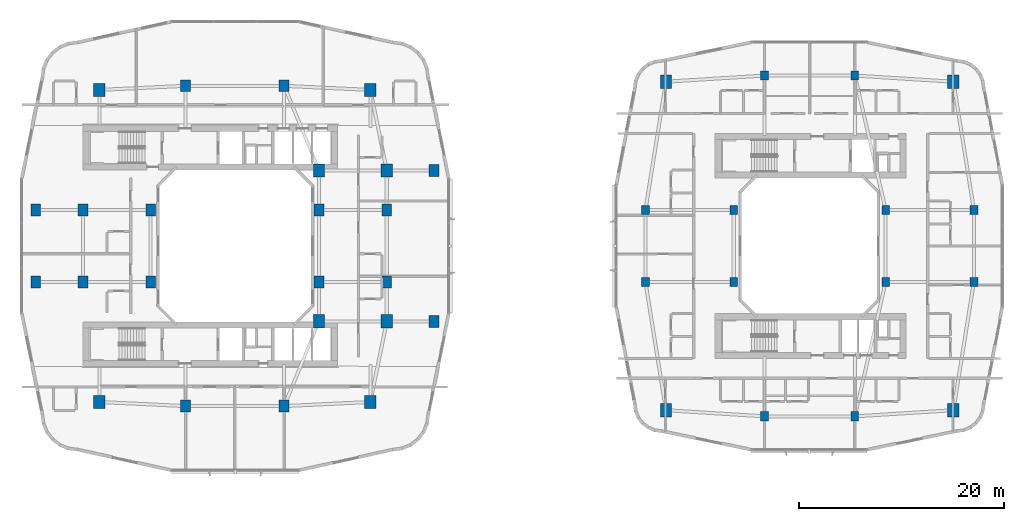
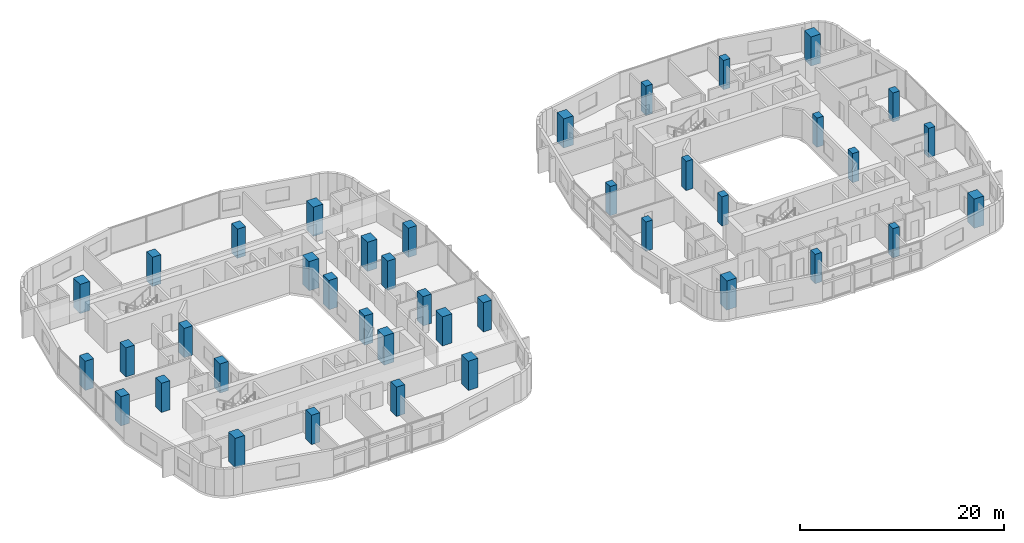
# One storey, part 1 of 26: 40 columns.
"""IFC4 building model written with IfcOpenShell, lengths in metres."""

import ifcopenshell
import ifcopenshell.guid

model = None  # the IFC model being written
_history = None  # IfcOwnerHistory: only IFC2X3 demands one
_inside = {}  # id of a spatial element -> (the spatial element, [elements in it])
_under = {}  # id of a project, library or spatial element -> (it, [spatial elements below it])
_declared = {}  # id of a project -> (the project, [libraries it declares])
_typed = {}  # id of a type object -> (the type object, [elements of that type])
_made_of = {}  # id of a material, layer set ... -> (it, [elements and type objects made of it])


def new_model(schema):
    """Start an empty IFC model of exactly this schema.

    Asked for "IFC4X3", IfcOpenShell would pick the latest addendum, in which some entities
    have other attributes; the version numbers below select the first issue.
    IFC2X3 requires an IfcOwnerHistory on every rooted entity: one is made here for all.
    """
    global model, _history
    if schema == "IFC4X3":
        model = ifcopenshell.file(schema_version=(4, 3, 0, 0))
    else:
        model = ifcopenshell.file(schema=schema)
    _inside.clear()
    _under.clear()
    _declared.clear()
    _typed.clear()
    _made_of.clear()
    _history = None
    if model.schema == "IFC2X3":
        org = make("IfcOrganization", Name="unknown")
        user = make(
            "IfcPersonAndOrganization",
            ThePerson=make("IfcPerson", FamilyName="unknown"),
            TheOrganization=org,
        )
        app = make(
            "IfcApplication",
            ApplicationDeveloper=org,
            Version="unknown",
            ApplicationFullName="unknown",
            ApplicationIdentifier="unknown",
        )
        _history = make(
            "IfcOwnerHistory",
            OwningUser=user,
            OwningApplication=app,
            ChangeAction="ADDED",
            CreationDate=0,
        )
    return model


def make(cls, **values):
    """One entity of the class cls with the attributes given. An attribute that is None is left unset."""
    return model.create_entity(
        cls, **{name: value for name, value in values.items() if value is not None}
    )


def rooted(cls, **values):
    """An entity with a GlobalId (a new one), such as an element, a storey or a relation."""
    return make(cls, GlobalId=ifcopenshell.guid.new(), OwnerHistory=_history, **values)


def si_unit(unit_type, name, prefix=None):
    """IfcSIUnit, for example si_unit("LENGTHUNIT", "METRE", prefix="MILLI")."""
    return make("IfcSIUnit", UnitType=unit_type, Prefix=prefix, Name=name)


def derived_unit(unit_type, elements):
    """IfcDerivedUnit: a product of units, each with its exponent."""
    return make(
        "IfcDerivedUnit",
        Elements=[
            make("IfcDerivedUnitElement", Unit=unit, Exponent=power)
            for unit, power in elements
        ],
        UnitType=unit_type,
    )


def assignment(units):
    """IfcUnitAssignment: the units of a project."""
    return None if units is None else make("IfcUnitAssignment", Units=units)


def point(xyz):
    """IfcCartesianPoint."""
    return None if xyz is None else make("IfcCartesianPoint", Coordinates=xyz)


def direction(xyz):
    """IfcDirection."""
    return None if xyz is None else make("IfcDirection", DirectionRatios=xyz)


def frame(location, z_axis=None, x_axis=None):
    """IfcAxis2Placement3D, a coordinate frame: its origin and axes. An axis left out is left unset."""
    return make(
        "IfcAxis2Placement3D",
        Location=point(location),
        Axis=direction(z_axis),
        RefDirection=direction(x_axis),
    )


def frame_2d(location, x_axis=None):
    """IfcAxis2Placement2D, a coordinate frame in the plane: its origin and x axis."""
    return make(
        "IfcAxis2Placement2D", Location=point(location), RefDirection=direction(x_axis)
    )


def origin():
    """The frame at (0, 0, 0) with its axes left unset."""
    return frame((0.0, 0.0, 0.0))


def origin_2d():
    """The frame at (0, 0) in the plane with its x axis left unset."""
    return frame_2d((0.0, 0.0))


def place(relative_to, where):
    """IfcLocalPlacement: puts the frame where relative to a parent placement (None: the world)."""
    return make(
        "IfcLocalPlacement", PlacementRelTo=relative_to, RelativePlacement=where
    )


def context(
    kind, dimensions, precision=None, world=None, true_north=None, identifier=None
):
    """IfcGeometricRepresentationContext, for example the 3D "Model" context."""
    return make(
        "IfcGeometricRepresentationContext",
        ContextIdentifier=identifier,
        ContextType=kind,
        CoordinateSpaceDimension=dimensions,
        Precision=precision,
        WorldCoordinateSystem=world,
        TrueNorth=true_north,
    )


def subcontext(parent, identifier, kind, view, scale=None):
    """IfcGeometricRepresentationSubContext, for example "Body" below "Model"."""
    return make(
        "IfcGeometricRepresentationSubContext",
        ContextIdentifier=identifier,
        ContextType=kind,
        ParentContext=parent,
        TargetScale=scale,
        TargetView=view,
    )


def project(units=None, contexts=None):
    """IfcProject with its units and contexts."""
    return rooted(
        "IfcProject",
        Name="project",
        RepresentationContexts=contexts,
        UnitsInContext=assignment(units),
    )


def spatial(cls, under=None, at=None, **own):
    """A site, building, storey or space (cls), placed at a placement, below another one or the project."""
    s = rooted(cls, ObjectPlacement=at, **own)
    if under is not None:
        _under.setdefault(under.id(), (under, []))[1].append(s)
    return s


def profile(cls, at=None, kind="AREA", **sizes):
    """A parametric profile (cls). Its sizes go by their IFC names, for example OverallWidth=200.0."""
    return make(cls, ProfileType=kind, Position=at, **sizes)


def rectangle(**sizes):
    """IfcRectangleProfileDef."""
    return profile("IfcRectangleProfileDef", **sizes)


def extrude(swept, where, along, depth):
    """IfcExtrudedAreaSolid: the profile swept, set in the frame where, extruded along a direction by depth."""
    return make(
        "IfcExtrudedAreaSolid",
        SweptArea=swept,
        Position=where,
        ExtrudedDirection=direction(along),
        Depth=depth,
    )


def shape(context_of_items, identifier, shape_type, items):
    """IfcShapeRepresentation: the items that make up one representation, for example the "Body"."""
    return make(
        "IfcShapeRepresentation",
        ContextOfItems=context_of_items,
        RepresentationIdentifier=identifier,
        RepresentationType=shape_type,
        Items=items,
    )


def material(Name=None, Category=None):
    """IfcMaterial."""
    return make("IfcMaterial", Name=Name, Category=Category)


def material_profile(
    of_material, cross_section, Name=None, Category=None, Priority=None
):
    """IfcMaterialProfile: a cross section and its material."""
    return make(
        "IfcMaterialProfile",
        Name=Name,
        Material=of_material,
        Profile=cross_section,
        Priority=Priority,
        Category=Category,
    )


def profile_set(profiles, Name=None, composite=None):
    """IfcMaterialProfileSet."""
    return make(
        "IfcMaterialProfileSet",
        Name=Name,
        MaterialProfiles=profiles,
        CompositeProfile=composite,
    )


def made_of(thing, what):
    """Note that an element or type object is made of a material, layer set ...; save() writes the relation."""
    if what is not None:
        _made_of.setdefault(what.id(), (what, []))[1].append(thing)
    return thing


def type_object(cls, material=None, **own):
    """A type object (cls), such as IfcWallType, which elements share."""
    return made_of(rooted(cls, **own), material)


def element(
    cls,
    number,
    at=None,
    inside=None,
    cuts=None,
    type_object=None,
    material=None,
    context=None,
    identifier="Body",
    shape_type=None,
    held_by="IfcProductDefinitionShape",
    body=None,
    shapes=None,
    **own,
):
    """One element of the class cls, such as IfcWall. Its Tag is "e" and its number.

    at: its placement. inside: the storey or other place that contains it. cuts: it is an
    opening in that element (IfcRelVoidsElement). A single representation is given by context,
    identifier, shape_type and body (its items); several are given by shapes. held_by: the class
    of the entity that holds the representations. save() writes the other relations.
    """
    e = rooted(cls, Tag="e%d" % number, ObjectPlacement=at, **own)
    if body is not None:
        shapes = [shape(context, identifier, shape_type, body)]
    if shapes is not None:
        e.Representation = make(held_by, Representations=shapes)
    if inside is not None:
        _inside.setdefault(inside.id(), (inside, []))[1].append(e)
    if cuts is not None:
        rooted(
            "IfcRelVoidsElement", RelatingBuildingElement=cuts, RelatedOpeningElement=e
        )
    if type_object is not None:
        _typed.setdefault(type_object.id(), (type_object, []))[1].append(e)
    return made_of(e, material)


def aggregate(whole, parts):
    """IfcRelAggregates: a whole, such as a stair, and the parts it consists of."""
    return rooted("IfcRelAggregates", RelatingObject=whole, RelatedObjects=parts)


def save(model, path):
    """Write the relations noted so far, then the file.

    IfcRelAggregates (storeys below a building ...), IfcRelContainedInSpatialStructure (elements
    in a storey), IfcRelDefinesByType, IfcRelAssociatesMaterial and IfcRelDeclares: one each for
    every whole, place, type object, material and project.
    """
    for whole, parts in _under.values():
        aggregate(whole, parts)
    for where, things in _inside.values():
        rooted(
            "IfcRelContainedInSpatialStructure",
            RelatedElements=things,
            RelatingStructure=where,
        )
    for kind, things in _typed.values():
        rooted("IfcRelDefinesByType", RelatedObjects=things, RelatingType=kind)
    for what, things in _made_of.values():
        rooted("IfcRelAssociatesMaterial", RelatedObjects=things, RelatingMaterial=what)
    for by, libraries in _declared.values():
        rooted("IfcRelDeclares", RelatingContext=by, RelatedDefinitions=libraries)
    model.write(path)


model = new_model("IFC4")

# Units and contexts
model_context = context("Model", 3, precision=1e-05, world=origin(), true_north=direction((0.0, 1.0)))
body_context = subcontext(model_context, "Body", "Model", "MODEL_VIEW")
ifc_project = project(units=[si_unit("LENGTHUNIT", "METRE"), si_unit("AREAUNIT", "SQUARE_METRE"), si_unit("VOLUMEUNIT", "CUBIC_METRE"), si_unit("PLANEANGLEUNIT", "RADIAN"), si_unit("MASSUNIT", "GRAM", prefix="KILO"), derived_unit("THERMALTRANSMITTANCEUNIT", [(si_unit("POWERUNIT", "WATT"), 1), (si_unit("LENGTHUNIT", "METRE"), -2), (si_unit("THERMODYNAMICTEMPERATUREUNIT", "KELVIN"), -1)])], contexts=[model_context])

# Site, building, storey
site_placement = place(None, origin())
site = spatial("IfcSite", under=ifc_project, at=site_placement, CompositionType="ELEMENT")
building_placement = place(site_placement, origin())
building = spatial("IfcBuilding", under=site, at=building_placement, Name="Kivonza Crest Hotel", CompositionType="ELEMENT")
storey_placement = place(building_placement, frame((0.0, 0.0, 52.0)))
storey = spatial("IfcBuildingStorey", under=building, at=storey_placement, Name="L13", CompositionType="ELEMENT", Elevation=52.0)

# Columns
ifc_material_1 = material(Name="Concrete C60/75", Category="concrete")
ifc_material_profile_1 = material_profile(ifc_material_1, rectangle(XDim=0.949951171875, YDim=1.14990234375, at=origin_2d()), Name="RC 1150x950")
ifc_profile_set_1 = profile_set([ifc_material_profile_1], Name="Concrete C60/75")
column_type_1 = type_object("IfcColumnType", Name="CL-RC-1150x950", PredefinedType="COLUMN", material=ifc_profile_set_1)
for number, where, z_axis, x_axis, name in (
    (1, (16.199951171875, 9.39990234375, 0.0), (0.0, 0.0, 1.0), (1.0, 0.0, 0.0), "Tower T1 L13 column S1"),
    (2, (25.800048828125, 9.39990234375, 0.0), (0.0, 0.0, 1.0), (1.0, 0.0, 0.0), "Tower T1 L13 column S2"),
    (3, (16.199951171875, 40.60009765625, 0.0), (0.0, 0.0, 1.0), (1.0, 0.0, 0.0), "Tower T1 L13 column N1"),
    (4, (25.800048828125, 40.60009765625, 0.0), (0.0, 0.0, 1.0), (1.0, 0.0, 0.0), "Tower T1 L13 column N2"),
    (5, (6.199951171875, 21.5, 0.0), (0.0, 0.0, 1.0), (1.0, 0.0, 0.0), "Tower T1 L13 column W1"),
    (6, (6.199951171875, 28.5, 0.0), (0.0, 0.0, 1.0), (1.0, 0.0, 0.0), "Tower T1 L13 column W2"),
    (7, (35.800048828125, 21.5, 0.0), (0.0, 0.0, 1.0), (1.0, 0.0, 0.0), "Tower T1 L13 column E1"),
    (8, (35.800048828125, 28.5, 0.0), (0.0, 0.0, 1.0), (1.0, 0.0, 0.0), "Tower T1 L13 column E2"),
    (9, (12.800048828125, 21.5, 0.0), (0.0, 0.0, 1.0), (1.0, 0.0, 0.0), "Tower T1 L13 column WL1"),
    (10, (12.800048828125, 28.5, 0.0), (0.0, 0.0, 1.0), (1.0, 0.0, 0.0), "Tower T1 L13 column WL2"),
    (11, (29.199951171875, 21.5, 0.0), (0.0, 0.0, 1.0), (1.0, 0.0, 0.0), "Tower T1 L13 column WR1"),
    (12, (29.199951171875, 28.5, 0.0), (0.0, 0.0, 1.0), (1.0, 0.0, 0.0), "Tower T1 L13 column WR2"),
    (13, (1.60009765625, 21.5, 0.0), (0.0, 0.0, 1.0), (1.0, 0.0, 0.0), "Tower T1 L13 column Z1W1"),
    (14, (1.60009765625, 28.5, 0.0), (0.0, 0.0, 1.0), (1.0, 0.0, 0.0), "Tower T1 L13 column Z1W2"),
    (15, (40.39990234375, 17.64990234375, 0.0), (0.0, 0.0, 1.0), (1.0, 0.0, 0.0), "Tower T1 L13 column Z1E1"),
    (16, (40.39990234375, 32.35009765625, 0.0), (0.0, 0.0, 1.0), (1.0, 0.0, 0.0), "Tower T1 L13 column Z1E2"),
):
    element("IfcColumn", number, at=place(storey_placement, frame(where, z_axis=z_axis, x_axis=x_axis)), inside=storey, type_object=column_type_1, Name=name, PredefinedType="COLUMN", context=body_context, shape_type="SweptSolid", body=[
        extrude(rectangle(XDim=0.949951171875, YDim=1.14990234375, at=origin_2d()), origin(), (0.0, 0.0, 1.0), 3.5),
    ])
ifc_material_profile_2 = material_profile(ifc_material_1, rectangle(XDim=1.10009765625, YDim=1.300048828125, at=origin_2d()), Name="RC 1300x1100")
ifc_profile_set_2 = profile_set([ifc_material_profile_2], Name="Concrete C60/75")
column_type_2 = type_object("IfcColumnType", Name="CL-RC-1300x1100", PredefinedType="COLUMN", material=ifc_profile_set_2)
for number, where, z_axis, x_axis, name in (
    (17, (7.800048828125, 9.800048828125, 0.0), (0.0, 0.0, 1.0), (1.0, 0.0, 0.0), "Tower T1 L13 column SW"),
    (18, (34.199951171875, 9.800048828125, 0.0), (0.0, 0.0, 1.0), (1.0, 0.0, 0.0), "Tower T1 L13 column SE"),
    (19, (34.199951171875, 40.199951171875, 0.0), (0.0, 0.0, 1.0), (1.0, 0.0, 0.0), "Tower T1 L13 column NE"),
    (20, (7.800048828125, 40.199951171875, 0.0), (0.0, 0.0, 1.0), (1.0, 0.0, 0.0), "Tower T1 L13 column NW"),
    (21, (35.800048828125, 17.64990234375, 0.0), (0.0, 0.0, 1.0), (1.0, 0.0, 0.0), "Tower T1 L13 column PSE"),
    (22, (35.800048828125, 32.35009765625, 0.0), (0.0, 0.0, 1.0), (1.0, 0.0, 0.0), "Tower T1 L13 column PNE"),
    (23, (29.199951171875, 17.64990234375, 0.0), (0.0, 0.0, 1.0), (1.0, 0.0, 0.0), "Tower T1 L13 column TSE"),
    (24, (29.199951171875, 32.35009765625, 0.0), (0.0, 0.0, 1.0), (1.0, 0.0, 0.0), "Tower T1 L13 column TNE"),
    (25, (63.0, 9.0, 0.0), (0.0, 0.0, 1.0), (1.0, 0.0, 0.0), "Companion Tower T2 L13 column SW"),
    (26, (91.0, 9.0, 0.0), (0.0, 0.0, 1.0), (1.0, 0.0, 0.0), "Companion Tower T2 L13 column SE"),
    (27, (91.0, 41.0, 0.0), (0.0, 0.0, 1.0), (1.0, 0.0, 0.0), "Companion Tower T2 L13 column NE"),
    (28, (63.0, 41.0, 0.0), (0.0, 0.0, 1.0), (1.0, 0.0, 0.0), "Companion Tower T2 L13 column NW"),
):
    element("IfcColumn", number, at=place(storey_placement, frame(where, z_axis=z_axis, x_axis=x_axis)), inside=storey, type_object=column_type_2, Name=name, PredefinedType="COLUMN", context=body_context, shape_type="SweptSolid", body=[
        extrude(rectangle(XDim=1.10009765625, YDim=1.300048828125, at=origin_2d()), origin(), (0.0, 0.0, 1.0), 3.5),
    ])
ifc_material_2 = material(Name="Concrete C50/60", Category="concrete")
ifc_material_profile_3 = material_profile(ifc_material_2, rectangle(XDim=0.75, YDim=0.89990234375, at=origin_2d()), Name="RC 900x750")
ifc_profile_set_3 = profile_set([ifc_material_profile_3], Name="Concrete C50/60")
column_type_3 = type_object("IfcColumnType", Name="CL-RC-900x750", PredefinedType="COLUMN", material=ifc_profile_set_3)
for number, where, z_axis, x_axis, name in (
    (29, (72.60009765625, 8.39990234375, 0.0), (0.0, 0.0, 1.0), (1.0, 0.0, 0.0), "Companion Tower T2 L13 column S1"),
    (30, (81.39990234375, 8.39990234375, 0.0), (0.0, 0.0, 1.0), (1.0, 0.0, 0.0), "Companion Tower T2 L13 column S2"),
    (31, (72.60009765625, 41.60009765625, 0.0), (0.0, 0.0, 1.0), (1.0, 0.0, 0.0), "Companion Tower T2 L13 column N1"),
    (32, (81.39990234375, 41.60009765625, 0.0), (0.0, 0.0, 1.0), (1.0, 0.0, 0.0), "Companion Tower T2 L13 column N2"),
    (33, (61.0, 21.5, 0.0), (0.0, 0.0, 1.0), (1.0, 0.0, 0.0), "Companion Tower T2 L13 column W1"),
    (34, (61.0, 28.5, 0.0), (0.0, 0.0, 1.0), (1.0, 0.0, 0.0), "Companion Tower T2 L13 column W2"),
    (35, (93.0, 21.5, 0.0), (0.0, 0.0, 1.0), (1.0, 0.0, 0.0), "Companion Tower T2 L13 column E1"),
    (36, (93.0, 28.5, 0.0), (0.0, 0.0, 1.0), (1.0, 0.0, 0.0), "Companion Tower T2 L13 column E2"),
    (37, (69.60009765625, 21.5, 0.0), (0.0, 0.0, 1.0), (1.0, 0.0, 0.0), "Companion Tower T2 L13 column WL1"),
    (38, (69.60009765625, 28.5, 0.0), (0.0, 0.0, 1.0), (1.0, 0.0, 0.0), "Companion Tower T2 L13 column WL2"),
    (39, (84.39990234375, 21.5, 0.0), (0.0, 0.0, 1.0), (1.0, 0.0, 0.0), "Companion Tower T2 L13 column WR1"),
    (40, (84.39990234375, 28.5, 0.0), (0.0, 0.0, 1.0), (1.0, 0.0, 0.0), "Companion Tower T2 L13 column WR2"),
):
    element("IfcColumn", number, at=place(storey_placement, frame(where, z_axis=z_axis, x_axis=x_axis)), inside=storey, type_object=column_type_3, Name=name, PredefinedType="COLUMN", context=body_context, shape_type="SweptSolid", body=[
        extrude(rectangle(XDim=0.75, YDim=0.89990234375, at=origin_2d()), origin(), (0.0, 0.0, 1.0), 3.5),
    ])

save(model, "model.ifc")
